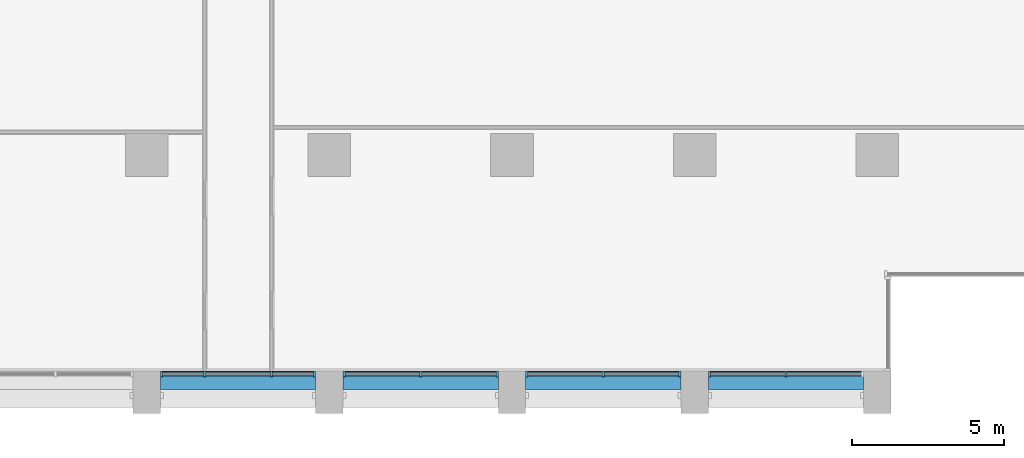
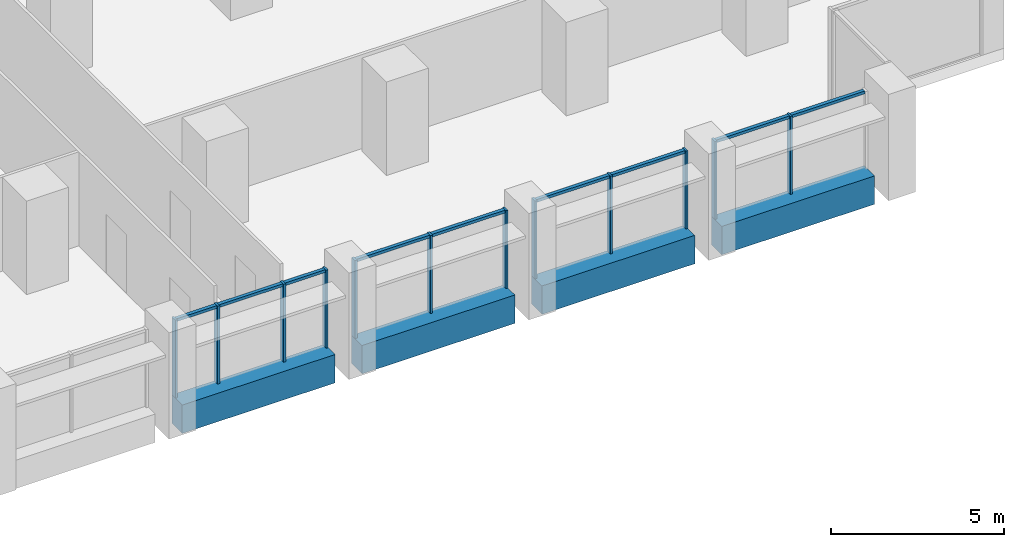
# One storey, part 3 of 15: 21 members, 4 beams, 4 elements without a shape of their own.
"""IFC4 building model written with IfcOpenShell, lengths in metres."""

from ifc_helpers import new_model, si_unit, direction, frame, origin, origin_2d, place, context, subcontext, project, spatial, rectangle, extrude, material, material_profile, profile_set, type_object, element, aggregate, save


model = new_model("IFC4")

# Units and contexts
model_context = context("Model", 3, precision=1e-05, world=origin(), true_north=direction((0.0, 1.0)))
body_context = subcontext(model_context, "Body", "Model", "MODEL_VIEW")
ifc_project = project(units=[si_unit("LENGTHUNIT", "METRE"), si_unit("AREAUNIT", "SQUARE_METRE"), si_unit("VOLUMEUNIT", "CUBIC_METRE"), si_unit("PLANEANGLEUNIT", "RADIAN"), si_unit("MASSUNIT", "GRAM", prefix="KILO")], contexts=[model_context])

# Site, building, storey
site_placement = place(None, origin())
site = spatial("IfcSite", under=ifc_project, at=site_placement, CompositionType="ELEMENT")
building_placement = place(site_placement, origin())
building = spatial("IfcBuilding", under=site, at=building_placement, Name="Calvaro Tower", CompositionType="ELEMENT")
storey_placement = place(building_placement, frame((0.0, 0.0, 106.25)))
storey = spatial("IfcBuildingStorey", under=building, at=storey_placement, Name="L26", CompositionType="ELEMENT", Elevation=106.25)

# Curtain wall, members
ifc_material_1 = material(Name="Anodised aluminium", Category="aluminium")
curtain_wall_type = type_object("IfcCurtainWallType", Name="Office curtain wall, middle zone", PredefinedType="NOTDEFINED", material=ifc_material_1)
curtain_wall_1_placement = place(storey_placement, origin())
curtain_wall_1 = element("IfcCurtainWall", 1, at=curtain_wall_1_placement, inside=storey, type_object=curtain_wall_type, Name="CW2 south curtain wall", PredefinedType="NOTDEFINED")
ifc_material_2 = material(Name="Anodised aluminium", Category="aluminium")
ifc_material_profile_1 = material_profile(ifc_material_2, rectangle(XDim=0.199951171875, YDim=0.070068359375, at=origin_2d()), Name="Mullion S2 70 x 200")
ifc_profile_set_1 = profile_set([ifc_material_profile_1], Name="Anodised aluminium")
member_type_1 = type_object("IfcMemberType", Name="Mullion S2 70 x 200", PredefinedType="MULLION", material=ifc_profile_set_1)
member_1_placement = place(storey_placement, frame((42.485107421875, 2.800048828125, 0.0), z_axis=(0.0, 0.0, 1.0), x_axis=(0.0, 1.0, 0.0)))
member_1 = element("IfcMember", 2, at=member_1_placement, type_object=member_type_1, Name="CW2 mullion 1", PredefinedType="MULLION", context=body_context, shape_type="SweptSolid", body=[
    extrude(rectangle(XDim=0.199951171875, YDim=0.070068359375, at=origin_2d()), origin(), (0.0, 0.0, 1.0), 2.75),
])
member_2_placement = place(storey_placement, frame((43.89990234375, 2.800048828125, 0.0), z_axis=(0.0, 0.0, 1.0), x_axis=(0.0, 1.0, 0.0)))
member_2 = element("IfcMember", 3, at=member_2_placement, type_object=member_type_1, Name="CW2 mullion 2", PredefinedType="MULLION", context=body_context, shape_type="SweptSolid", body=[
    extrude(rectangle(XDim=0.199951171875, YDim=0.070068359375, at=origin_2d()), origin(), (0.0, 0.0, 1.0), 2.75),
])
member_3_placement = place(storey_placement, frame((46.10009765625, 2.800048828125, 0.0), z_axis=(0.0, 0.0, 1.0), x_axis=(0.0, 1.0, 0.0)))
member_3 = element("IfcMember", 4, at=member_3_placement, type_object=member_type_1, Name="CW2 mullion 3", PredefinedType="MULLION", context=body_context, shape_type="SweptSolid", body=[
    extrude(rectangle(XDim=0.199951171875, YDim=0.070068359375, at=origin_2d()), origin(), (0.0, 0.0, 1.0), 2.75),
])
member_4_placement = place(storey_placement, frame((47.514892578125, 2.800048828125, 0.0), z_axis=(0.0, 0.0, 1.0), x_axis=(0.0, 1.0, 0.0)))
member_4 = element("IfcMember", 5, at=member_4_placement, type_object=member_type_1, Name="CW2 mullion 4", PredefinedType="MULLION", context=body_context, shape_type="SweptSolid", body=[
    extrude(rectangle(XDim=0.199951171875, YDim=0.070068359375, at=origin_2d()), origin(), (0.0, 0.0, 1.0), 2.75),
])

curtain_wall_2_placement = place(storey_placement, origin())
curtain_wall_2 = element("IfcCurtainWall", 6, at=curtain_wall_2_placement, inside=storey, type_object=curtain_wall_type, Name="CW2 south curtain wall", PredefinedType="NOTDEFINED")
member_5_placement = place(storey_placement, frame((48.485107421875, 2.800048828125, 0.0), z_axis=(0.0, 0.0, 1.0), x_axis=(0.0, 1.0, 0.0)))
member_5 = element("IfcMember", 7, at=member_5_placement, type_object=member_type_1, Name="CW2 mullion 1", PredefinedType="MULLION", context=body_context, shape_type="SweptSolid", body=[
    extrude(rectangle(XDim=0.199951171875, YDim=0.070068359375, at=origin_2d()), origin(), (0.0, 0.0, 1.0), 2.75),
])
member_6_placement = place(storey_placement, frame((51.0, 2.800048828125, 0.0), z_axis=(0.0, 0.0, 1.0), x_axis=(0.0, 1.0, 0.0)))
member_6 = element("IfcMember", 8, at=member_6_placement, type_object=member_type_1, Name="CW2 mullion 2", PredefinedType="MULLION", context=body_context, shape_type="SweptSolid", body=[
    extrude(rectangle(XDim=0.199951171875, YDim=0.070068359375, at=origin_2d()), origin(), (0.0, 0.0, 1.0), 2.75),
])
member_7_placement = place(storey_placement, frame((53.514892578125, 2.800048828125, 0.0), z_axis=(0.0, 0.0, 1.0), x_axis=(0.0, 1.0, 0.0)))
member_7 = element("IfcMember", 9, at=member_7_placement, type_object=member_type_1, Name="CW2 mullion 3", PredefinedType="MULLION", context=body_context, shape_type="SweptSolid", body=[
    extrude(rectangle(XDim=0.199951171875, YDim=0.070068359375, at=origin_2d()), origin(), (0.0, 0.0, 1.0), 2.75),
])

curtain_wall_3_placement = place(storey_placement, origin())
curtain_wall_3 = element("IfcCurtainWall", 10, at=curtain_wall_3_placement, inside=storey, type_object=curtain_wall_type, Name="CW2 south curtain wall", PredefinedType="NOTDEFINED")
member_8_placement = place(storey_placement, frame((54.485107421875, 2.800048828125, 0.0), z_axis=(0.0, 0.0, 1.0), x_axis=(0.0, 1.0, 0.0)))
member_8 = element("IfcMember", 11, at=member_8_placement, type_object=member_type_1, Name="CW2 mullion 1", PredefinedType="MULLION", context=body_context, shape_type="SweptSolid", body=[
    extrude(rectangle(XDim=0.199951171875, YDim=0.070068359375, at=origin_2d()), origin(), (0.0, 0.0, 1.0), 2.75),
])
member_9_placement = place(storey_placement, frame((57.0, 2.800048828125, 0.0), z_axis=(0.0, 0.0, 1.0), x_axis=(0.0, 1.0, 0.0)))
member_9 = element("IfcMember", 12, at=member_9_placement, type_object=member_type_1, Name="CW2 mullion 2", PredefinedType="MULLION", context=body_context, shape_type="SweptSolid", body=[
    extrude(rectangle(XDim=0.199951171875, YDim=0.070068359375, at=origin_2d()), origin(), (0.0, 0.0, 1.0), 2.75),
])
member_10_placement = place(storey_placement, frame((59.514892578125, 2.800048828125, 0.0), z_axis=(0.0, 0.0, 1.0), x_axis=(0.0, 1.0, 0.0)))
member_10 = element("IfcMember", 13, at=member_10_placement, type_object=member_type_1, Name="CW2 mullion 3", PredefinedType="MULLION", context=body_context, shape_type="SweptSolid", body=[
    extrude(rectangle(XDim=0.199951171875, YDim=0.070068359375, at=origin_2d()), origin(), (0.0, 0.0, 1.0), 2.75),
])

curtain_wall_4_placement = place(storey_placement, origin())
curtain_wall_4 = element("IfcCurtainWall", 14, at=curtain_wall_4_placement, inside=storey, type_object=curtain_wall_type, Name="CW2 south curtain wall", PredefinedType="NOTDEFINED")
member_11_placement = place(storey_placement, frame((60.485107421875, 2.800048828125, 0.0), z_axis=(0.0, 0.0, 1.0), x_axis=(0.0, 1.0, 0.0)))
member_11 = element("IfcMember", 15, at=member_11_placement, type_object=member_type_1, Name="CW2 mullion 1", PredefinedType="MULLION", context=body_context, shape_type="SweptSolid", body=[
    extrude(rectangle(XDim=0.199951171875, YDim=0.070068359375, at=origin_2d()), origin(), (0.0, 0.0, 1.0), 2.75),
])
member_12_placement = place(storey_placement, frame((63.0, 2.800048828125, 0.0), z_axis=(0.0, 0.0, 1.0), x_axis=(0.0, 1.0, 0.0)))
member_12 = element("IfcMember", 16, at=member_12_placement, type_object=member_type_1, Name="CW2 mullion 2", PredefinedType="MULLION", context=body_context, shape_type="SweptSolid", body=[
    extrude(rectangle(XDim=0.199951171875, YDim=0.070068359375, at=origin_2d()), origin(), (0.0, 0.0, 1.0), 2.75),
])

# Beams
ifc_material_3 = material(Name="Concrete C50/60 precast", Category="concrete")
ifc_material_profile_2 = material_profile(ifc_material_3, rectangle(XDim=0.60009765625, YDim=1.0, at=origin_2d()), Name="RC 600x1000")
ifc_profile_set_2 = profile_set([ifc_material_profile_2], Name="Concrete C50/60 precast")
beam_type = type_object("IfcBeamType", Name="Spandrel beam 600x1000 C50/60", PredefinedType="SPANDREL", material=ifc_profile_set_2)
for number, where, z_axis, x_axis, name in (
    (17, (42.449951171875, 2.60009765625, -0.5), (1.0, 0.0, 0.0), (0.0, 1.0, 0.0), "Spandrel beam"),
    (18, (48.449951171875, 2.60009765625, -0.5), (1.0, 0.0, 0.0), (0.0, 1.0, 0.0), "Spandrel beam"),
    (19, (54.449951171875, 2.60009765625, -0.5), (1.0, 0.0, 0.0), (0.0, 1.0, 0.0), "Spandrel beam"),
    (20, (60.449951171875, 2.60009765625, -0.5), (1.0, 0.0, 0.0), (0.0, 1.0, 0.0), "Spandrel beam"),
):
    element("IfcBeam", number, at=place(storey_placement, frame(where, z_axis=z_axis, x_axis=x_axis)), inside=storey, type_object=beam_type, Name=name, PredefinedType="SPANDREL", context=body_context, shape_type="SweptSolid", body=[
        extrude(rectangle(XDim=0.60009765625, YDim=1.0, at=origin_2d()), origin(), (0.0, 0.0, 1.0), 5.10009765625),
    ])

# Member
ifc_material_4 = material(Name="Anodised aluminium", Category="aluminium")
ifc_material_profile_3 = material_profile(ifc_material_4, rectangle(XDim=0.1201171875, YDim=0.10009765625, at=origin_2d()), Name="Transom S2 100 x 120")
ifc_profile_set_3 = profile_set([ifc_material_profile_3], Name="Anodised aluminium")
member_type_2 = type_object("IfcMemberType", Name="Transom S2 100 x 120", PredefinedType="USERDEFINED", material=ifc_profile_set_3)
member_13_placement = place(storey_placement, frame((42.52001953125, 2.800048828125, 2.699951171875), z_axis=(1.0, 0.0, 0.0), x_axis=(0.0, 1.0, 0.0)))
member_13 = element("IfcMember", 21, at=member_13_placement, type_object=member_type_2, Name="CW2 transom 1.1", ObjectType="TRANSOM", PredefinedType="USERDEFINED", context=body_context, shape_type="SweptSolid", body=[
    extrude(rectangle(XDim=0.1201171875, YDim=0.10009765625, at=origin_2d()), origin(), (0.0, 0.0, 1.0), 1.344970703125),
])

member_14_placement = place(storey_placement, frame((43.93505859375, 2.800048828125, 2.699951171875), z_axis=(1.0, 0.0, 0.0), x_axis=(0.0, 1.0, 0.0)))
member_14 = element("IfcMember", 22, at=member_14_placement, type_object=member_type_2, Name="CW2 transom 2.1", ObjectType="TRANSOM", PredefinedType="USERDEFINED", context=body_context, shape_type="SweptSolid", body=[
    extrude(rectangle(XDim=0.1201171875, YDim=0.10009765625, at=origin_2d()), origin(), (0.0, 0.0, 1.0), 2.1298828125),
])

member_15_placement = place(storey_placement, frame((46.135009765625, 2.800048828125, 2.699951171875), z_axis=(1.0, 0.0, 0.0), x_axis=(0.0, 1.0, 0.0)))
member_15 = element("IfcMember", 23, at=member_15_placement, type_object=member_type_2, Name="CW2 transom 3.1", ObjectType="TRANSOM", PredefinedType="USERDEFINED", context=body_context, shape_type="SweptSolid", body=[
    extrude(rectangle(XDim=0.1201171875, YDim=0.10009765625, at=origin_2d()), origin(), (0.0, 0.0, 1.0), 1.344970703125),
])

aggregate(curtain_wall_1, [member_1, member_2, member_3, member_4, member_13, member_14, member_15])

member_16_placement = place(storey_placement, frame((48.52001953125, 2.800048828125, 2.699951171875), z_axis=(1.0, 0.0, 0.0), x_axis=(0.0, 1.0, 0.0)))
member_16 = element("IfcMember", 24, at=member_16_placement, type_object=member_type_2, Name="CW2 transom 1.1", ObjectType="TRANSOM", PredefinedType="USERDEFINED", context=body_context, shape_type="SweptSolid", body=[
    extrude(rectangle(XDim=0.1201171875, YDim=0.10009765625, at=origin_2d()), origin(), (0.0, 0.0, 1.0), 2.445068359375),
])

member_17_placement = place(storey_placement, frame((51.034912109375, 2.800048828125, 2.699951171875), z_axis=(1.0, 0.0, 0.0), x_axis=(0.0, 1.0, 0.0)))
member_17 = element("IfcMember", 25, at=member_17_placement, type_object=member_type_2, Name="CW2 transom 2.1", ObjectType="TRANSOM", PredefinedType="USERDEFINED", context=body_context, shape_type="SweptSolid", body=[
    extrude(rectangle(XDim=0.1201171875, YDim=0.10009765625, at=origin_2d()), origin(), (0.0, 0.0, 1.0), 2.445068359375),
])

aggregate(curtain_wall_2, [member_5, member_6, member_7, member_16, member_17])

member_18_placement = place(storey_placement, frame((54.52001953125, 2.800048828125, 2.699951171875), z_axis=(1.0, 0.0, 0.0), x_axis=(0.0, 1.0, 0.0)))
member_18 = element("IfcMember", 26, at=member_18_placement, type_object=member_type_2, Name="CW2 transom 1.1", ObjectType="TRANSOM", PredefinedType="USERDEFINED", context=body_context, shape_type="SweptSolid", body=[
    extrude(rectangle(XDim=0.1201171875, YDim=0.10009765625, at=origin_2d()), origin(), (0.0, 0.0, 1.0), 2.445068359375),
])

member_19_placement = place(storey_placement, frame((57.034912109375, 2.800048828125, 2.699951171875), z_axis=(1.0, 0.0, 0.0), x_axis=(0.0, 1.0, 0.0)))
member_19 = element("IfcMember", 27, at=member_19_placement, type_object=member_type_2, Name="CW2 transom 2.1", ObjectType="TRANSOM", PredefinedType="USERDEFINED", context=body_context, shape_type="SweptSolid", body=[
    extrude(rectangle(XDim=0.1201171875, YDim=0.10009765625, at=origin_2d()), origin(), (0.0, 0.0, 1.0), 2.445068359375),
])

aggregate(curtain_wall_3, [member_8, member_9, member_10, member_18, member_19])

member_20_placement = place(storey_placement, frame((60.52001953125, 2.800048828125, 2.699951171875), z_axis=(1.0, 0.0, 0.0), x_axis=(0.0, 1.0, 0.0)))
member_20 = element("IfcMember", 28, at=member_20_placement, type_object=member_type_2, Name="CW2 transom 1.1", ObjectType="TRANSOM", PredefinedType="USERDEFINED", context=body_context, shape_type="SweptSolid", body=[
    extrude(rectangle(XDim=0.1201171875, YDim=0.10009765625, at=origin_2d()), origin(), (0.0, 0.0, 1.0), 2.445068359375),
])

member_21_placement = place(storey_placement, frame((63.034912109375, 2.800048828125, 2.699951171875), z_axis=(1.0, 0.0, 0.0), x_axis=(0.0, 1.0, 0.0)))
member_21 = element("IfcMember", 29, at=member_21_placement, type_object=member_type_2, Name="CW2 transom 2.1", ObjectType="TRANSOM", PredefinedType="USERDEFINED", context=body_context, shape_type="SweptSolid", body=[
    extrude(rectangle(XDim=0.1201171875, YDim=0.10009765625, at=origin_2d()), origin(), (0.0, 0.0, 1.0), 2.445068359375),
])

aggregate(curtain_wall_4, [member_11, member_12, member_20, member_21])

save(model, "model.ifc")
